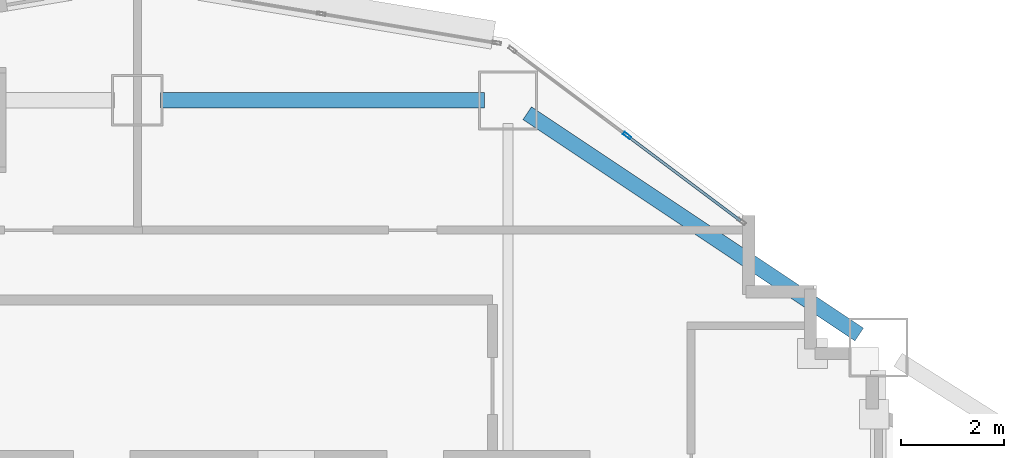
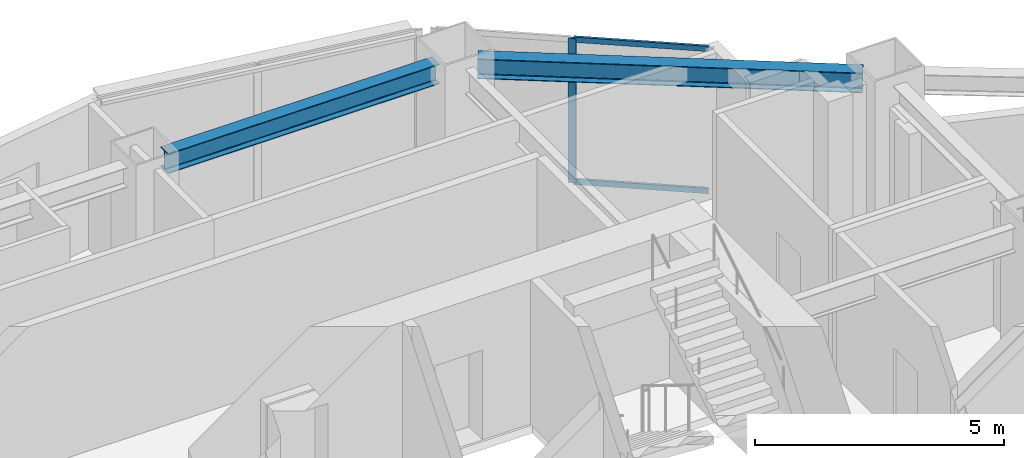
# One storey, part 3 of 16: 3 members, 2 beams, 1 element without a shape of its own.
"""IFC4 building model written with IfcOpenShell, lengths in metres."""

from ifc_helpers import new_model, si_unit, direction, frame, origin, origin_2d, place, context, subcontext, project, spatial, hollow_rectangle, i_section, extrude, material, layer, layer_set, material_profile, profile_set, type_object, element, aggregate, save


model = new_model("IFC4")

# Units and contexts
model_context = context("Model", 3, precision=1e-05, world=origin(), true_north=direction((0.0, 1.0)))
body_context = subcontext(model_context, "Body", "Model", "MODEL_VIEW")
ifc_project = project(units=[si_unit("LENGTHUNIT", "METRE"), si_unit("AREAUNIT", "SQUARE_METRE"), si_unit("VOLUMEUNIT", "CUBIC_METRE"), si_unit("PLANEANGLEUNIT", "RADIAN"), si_unit("MASSUNIT", "GRAM", prefix="KILO")], contexts=[model_context])

# Site, building, storey
site_placement = place(None, origin())
site = spatial("IfcSite", under=ifc_project, at=site_placement, CompositionType="ELEMENT")
building_placement = place(site_placement, origin())
building = spatial("IfcBuilding", under=site, at=building_placement, Name="Haolan Belvedere Tower", CompositionType="ELEMENT")
storey_placement = place(building_placement, frame((0.0, 0.0, 85.60009765625)))
storey = spatial("IfcBuildingStorey", under=building, at=storey_placement, Name="L21", CompositionType="ELEMENT", Elevation=85.60009765625)

# Beams
ifc_material_1 = material(Name="Steel Q355B", Category="steel")
ifc_material_profile_1 = material_profile(ifc_material_1, i_section(OverallWidth=0.300048828125, OverallDepth=0.488037109375, WebThickness=0.010986328125, FlangeThickness=0.01806640625, FilletRadius=0.02587890625, at=origin_2d()), Name="Steel Q355B")
ifc_profile_set_1 = profile_set([ifc_material_profile_1], Name="Steel Q355B")
beam_type = type_object("IfcBeamType", Name="BM-HM488x300x11x18", PredefinedType="SPANDREL", material=ifc_profile_set_1)
beam_1_placement = place(storey_placement, frame((38.85009765625, 50.39990234375, 3.2958984375), z_axis=(1.0, 0.0, 0.0), x_axis=(0.0, 1.0, 0.0)))
element("IfcBeam", 1, at=beam_1_placement, inside=storey, type_object=beam_type, Name="L21 spandrel girder TC-T3-NM-MC-T3-N2", PredefinedType="SPANDREL", context=body_context, shape_type="SweptSolid", body=[
    extrude(i_section(OverallWidth=0.300048828125, OverallDepth=0.488037109375, WebThickness=0.010986328125, FlangeThickness=0.01806640625, FilletRadius=0.02587890625, at=origin_2d()), origin(), (0.0, 0.0, 1.0), 6.2998046875),
])
beam_2_placement = place(storey_placement, frame((45.974365234375, 50.150390625, 3.2958984375), z_axis=(0.832050294338, -0.554700196225, 0.0), x_axis=(0.554700196225, 0.832050294338, 0.0)))
element("IfcBeam", 2, at=beam_2_placement, inside=storey, type_object=beam_type, Name="L21 spandrel girder MC-T3-N2-MC-T3-NE", PredefinedType="SPANDREL", context=body_context, shape_type="SweptSolid", body=[
    extrude(i_section(OverallWidth=0.300048828125, OverallDepth=0.488037109375, WebThickness=0.010986328125, FlangeThickness=0.01806640625, FilletRadius=0.02587890625, at=origin_2d()), origin(), (0.0, 0.0, 1.0), 7.75341796875),
])

# Curtain wall, members
ifc_material_2 = material(Name="Anodised champagne-silver aluminium 6063-T6 and Low-E glass", Category="aluminium")
ifc_layer = layer(ifc_material_2, 0.1650390625, Name="Anodised champagne-silver aluminium 6063-T6 and Low-E glass")
ifc_layer_set = layer_set([ifc_layer], Name="Anodised champagne-silver aluminium 6063-T6 and Low-E glass")
curtain_wall_type = type_object("IfcCurtainWallType", Name="CW-SYS-02", PredefinedType="NOTDEFINED", material=ifc_layer_set)
curtain_wall_placement = place(storey_placement, origin())
curtain_wall = element("IfcCurtainWall", 3, at=curtain_wall_placement, inside=storey, type_object=curtain_wall_type, Name="L21 CW-SYS-02 ribbon curtain wall 41.1", PredefinedType="NOTDEFINED")
ifc_material_3 = material(Name="Anodised aluminium 6063-T6", Category="aluminium")
ifc_material_profile_2 = material_profile(ifc_material_3, hollow_rectangle(XDim=0.06005859375, YDim=0.1650390625, WallThickness=0.00390625, at=origin_2d()), Name="Anodised aluminium 6063-T6")
ifc_profile_set_2 = profile_set([ifc_material_profile_2], Name="Anodised aluminium 6063-T6")
member_type_1 = type_object("IfcMemberType", Name="CW-SYS-02-MUL", PredefinedType="MULLION", material=ifc_profile_set_2)
member_1_placement = place(storey_placement, frame((47.915771484375, 49.713134765625, 0.0), z_axis=(0.0, 0.0, 1.0), x_axis=(-0.599994316874, -0.800004262313, 0.0)))
member_1 = element("IfcMember", 4, at=member_1_placement, type_object=member_type_1, Name="CW-02 mullion 2", PredefinedType="MULLION", context=body_context, shape_type="SweptSolid", body=[
    extrude(hollow_rectangle(XDim=0.06005859375, YDim=0.1650390625, WallThickness=0.00390625, at=origin_2d()), origin(), (0.0, 0.0, 1.0), 3.539794921875),
])
ifc_material_profile_3 = material_profile(ifc_material_3, hollow_rectangle(XDim=0.054931640625, YDim=0.1298828125, WallThickness=0.00390625, at=origin_2d()), Name="Anodised aluminium 6063-T6")
ifc_profile_set_3 = profile_set([ifc_material_profile_3], Name="Anodised aluminium 6063-T6")
member_type_2 = type_object("IfcMemberType", Name="CW-SYS-02-TRN", PredefinedType="USERDEFINED", material=ifc_profile_set_3)
member_2_placement = place(storey_placement, frame((50.1201171875, 48.06005859375, 0.02734375), z_axis=(-0.800010749092, 0.599985667609, 0.0), x_axis=(-0.599985667609, -0.800010749092, 0.0)))
member_2 = element("IfcMember", 5, at=member_2_placement, type_object=member_type_2, Name="CW-02 transom 1.1", ObjectType="TRANSOM", PredefinedType="USERDEFINED", context=body_context, shape_type="SweptSolid", body=[
    extrude(hollow_rectangle(XDim=0.054931640625, YDim=0.1298828125, WallThickness=0.00390625, at=origin_2d()), origin(), (0.0, 0.0, 1.0), 2.7255859375),
])
member_3_placement = place(storey_placement, frame((50.1201171875, 48.06005859375, 3.512451171875), z_axis=(-0.800010749092, 0.599985667609, 0.0), x_axis=(-0.599985667609, -0.800010749092, 0.0)))
member_3 = element("IfcMember", 6, at=member_3_placement, type_object=member_type_2, Name="CW-02 transom 1.2", ObjectType="TRANSOM", PredefinedType="USERDEFINED", context=body_context, shape_type="SweptSolid", body=[
    extrude(hollow_rectangle(XDim=0.054931640625, YDim=0.1298828125, WallThickness=0.00390625, at=origin_2d()), origin(), (0.0, 0.0, 1.0), 2.7255859375),
])
aggregate(curtain_wall, [member_1, member_2, member_3])

save(model, "model.ifc")
